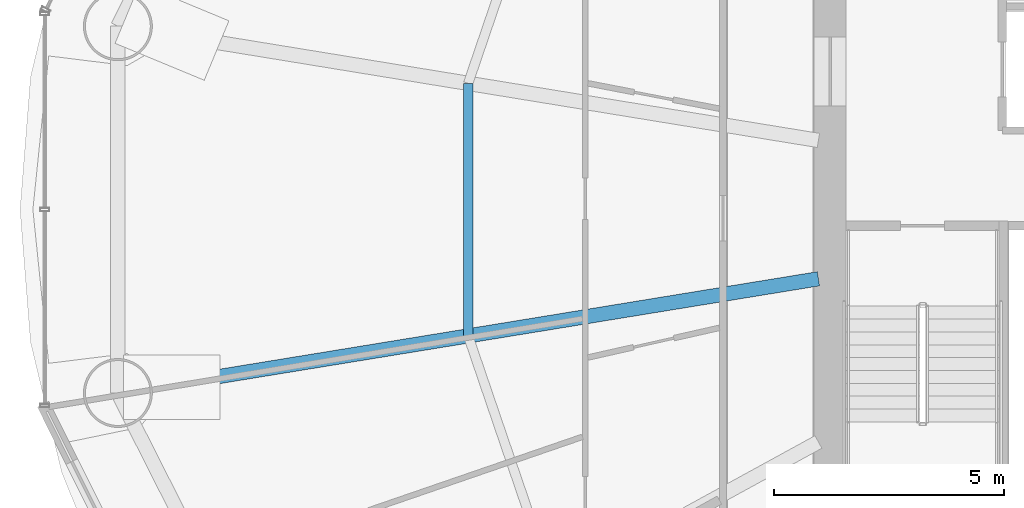
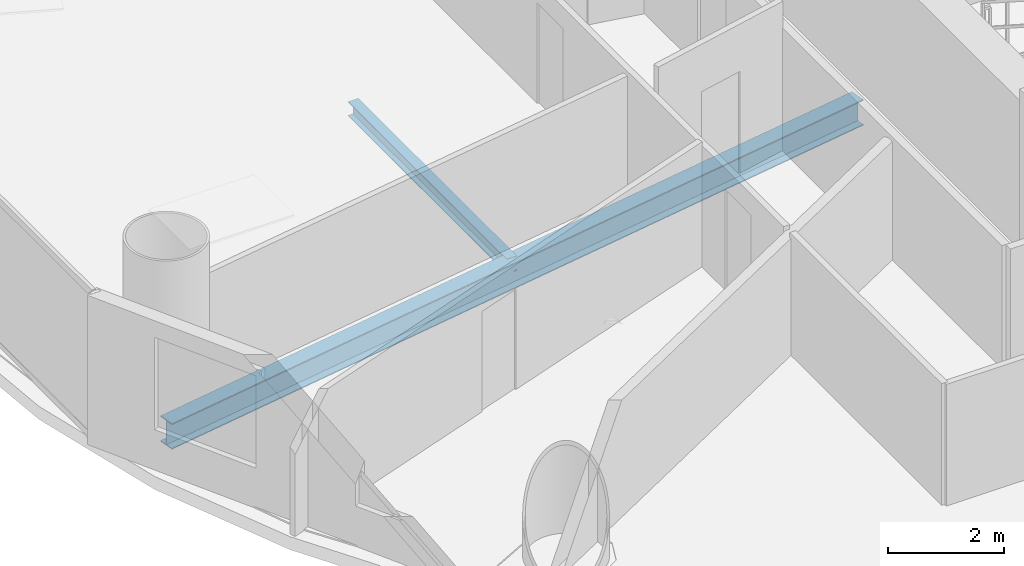
# One storey, part 8 of 29: 2 beams.
"""IFC4 building model written with IfcOpenShell, lengths in metres."""

from ifc_helpers import new_model, si_unit, direction, frame, origin, origin_2d, place, context, subcontext, project, spatial, i_section, extrude, material, material_profile, profile_set, type_object, element, save


model = new_model("IFC4")

# Units and contexts
model_context = context("Model", 3, precision=1e-05, world=origin(), true_north=direction((-0.2419218956, 0.970295726276)))
body_context = subcontext(model_context, "Body", "Model", "MODEL_VIEW")
ifc_project = project(units=[si_unit("LENGTHUNIT", "METRE"), si_unit("AREAUNIT", "SQUARE_METRE"), si_unit("VOLUMEUNIT", "CUBIC_METRE"), si_unit("PLANEANGLEUNIT", "RADIAN"), si_unit("MASSUNIT", "GRAM", prefix="KILO")], contexts=[model_context])

# Site, building, storey
site_placement = place(None, origin())
site = spatial("IfcSite", under=ifc_project, at=site_placement, CompositionType="ELEMENT")
building_placement = place(site_placement, origin())
building = spatial("IfcBuilding", under=site, at=building_placement, Name="Cobrevalo Terracotta Tower", CompositionType="ELEMENT")
storey_placement = place(building_placement, frame((0.0, 0.0, 126.60009765625)))
storey = spatial("IfcBuildingStorey", under=building, at=storey_placement, Name="L33", CompositionType="ELEMENT", Elevation=126.60009765625)

# Beams
ifc_material = material(Name="Steel S355", Category="steel")
ifc_material_profile_1 = material_profile(ifc_material, i_section(OverallWidth=0.31201171875, OverallDepth=0.54296875, WebThickness=0.0126953125, FlangeThickness=0.020263671875, at=origin_2d()), Name="W 530x150")
ifc_profile_set_1 = profile_set([ifc_material_profile_1], Name="Steel S355")
beam_type_1 = type_object("IfcBeamType", Name="Structural Beam W 530x150 (Steel S355)", PredefinedType="BEAM", material=ifc_profile_set_1)
beam_1_placement = place(storey_placement, frame((13.529296875, 22.810302734375, -0.546630859375), z_axis=(0.986968056587, 0.160916298977, 0.0), x_axis=(-0.160916298977, 0.986968056587, 0.0)))
element("IfcBeam", 1, at=beam_1_placement, inside=storey, type_object=beam_type_1, Name="L33 radial floor girder 09", PredefinedType="BEAM", context=body_context, shape_type="SweptSolid", body=[
    extrude(i_section(OverallWidth=0.31201171875, OverallDepth=0.54296875, WebThickness=0.0126953125, FlangeThickness=0.020263671875, at=origin_2d()), origin(), (0.0, 0.0, 1.0), 15.44189453125),
])
ifc_material_profile_2 = material_profile(ifc_material, i_section(OverallWidth=0.2041015625, OverallDepth=0.305908203125, WebThickness=0.008544921875, FlangeThickness=0.0146484375, at=origin_2d()), Name="W 310x67")
ifc_profile_set_2 = profile_set([ifc_material_profile_2], Name="Steel S355")
beam_type_2 = type_object("IfcBeamType", Name="Structural Joist W 310x67 (Steel S355)", PredefinedType="JOIST", material=ifc_profile_set_2)
beam_2_placement = place(storey_placement, frame((21.149658203125, 29.547119140625, -0.427978515625), z_axis=(0.0, -1.0, 0.0), x_axis=(1.0, 0.0, 0.0)))
element("IfcBeam", 2, at=beam_2_placement, inside=storey, type_object=beam_type_2, Name="L33 circumferential secondary floor joist 08", PredefinedType="JOIST", context=body_context, shape_type="SweptSolid", body=[
    extrude(i_section(OverallWidth=0.2041015625, OverallDepth=0.305908203125, WebThickness=0.008544921875, FlangeThickness=0.0146484375, at=origin_2d()), origin(), (0.0, 0.0, 1.0), 5.494384765625),
])

save(model, "model.ifc")
